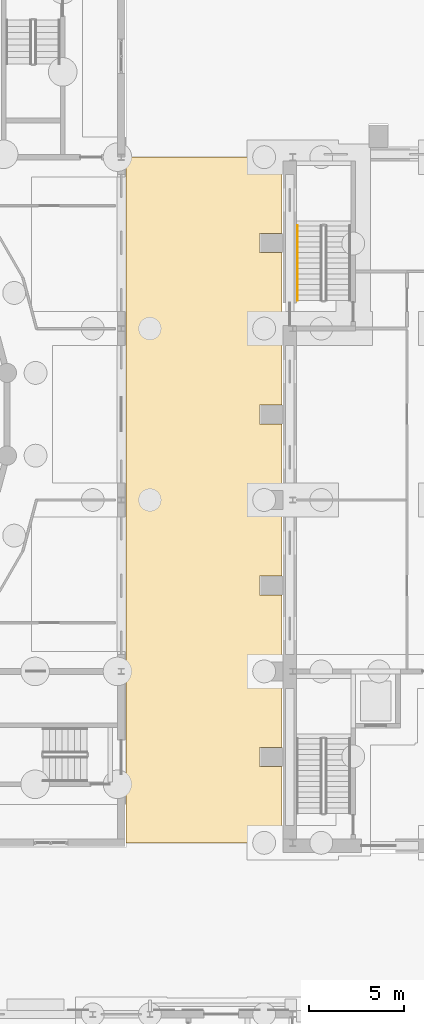
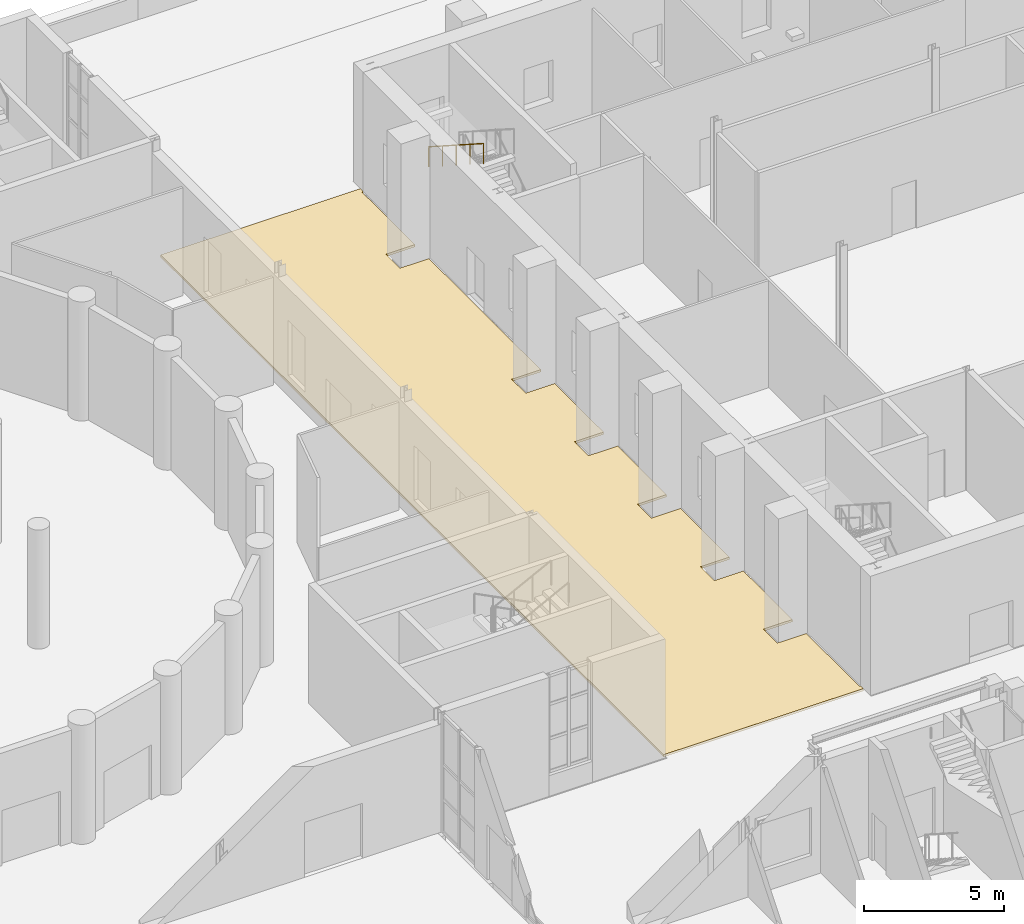
# One storey, part 147 of 168: 1 covering, 1 railing.
"""IFC4 building model written with IfcOpenShell, lengths in metres."""

from ifc_helpers import new_model, si_unit, direction, frame, origin, origin_2d, place, context, subcontext, project, spatial, polyline, circle, outline, extrude, material, layer, layer_set, type_object, element, save


model = new_model("IFC4")

# Units and contexts
model_context = context("Model", 3, precision=1e-05, world=origin(), true_north=direction((0.0, 1.0)))
body_context = subcontext(model_context, "Body", "Model", "MODEL_VIEW")
ifc_project = project(units=[si_unit("LENGTHUNIT", "METRE"), si_unit("AREAUNIT", "SQUARE_METRE"), si_unit("VOLUMEUNIT", "CUBIC_METRE"), si_unit("PLANEANGLEUNIT", "RADIAN"), si_unit("MASSUNIT", "GRAM", prefix="KILO")], contexts=[model_context])

# Site, building, storey
site_placement = place(None, origin())
site = spatial("IfcSite", under=ifc_project, at=site_placement, CompositionType="ELEMENT")
building_placement = place(site_placement, origin())
building = spatial("IfcBuilding", under=site, at=building_placement, Name="Golden Quay Civic Hall", CompositionType="ELEMENT")
storey_placement = place(building_placement, origin())
storey = spatial("IfcBuildingStorey", under=building, at=storey_placement, Name="L00", CompositionType="ELEMENT", Elevation=0.0)

# Covering
ifc_material_1 = material(Name="Concrete block paving", Category="concrete")
ifc_layer = layer(ifc_material_1, 0.10009765625)
ifc_layer_set = layer_set([ifc_layer], Name="Concrete block paving 100")
covering_type = type_object("IfcCoveringType", Name="Concrete block paving 100", PredefinedType="FLOORING", material=ifc_layer_set)
covering_placement = place(storey_placement, frame((0.0, 0.0, -0.10009765625)))
element("IfcCovering", 1, at=covering_placement, inside=storey, type_object=covering_type, Name="East Lane paving", PredefinedType="FLOORING", context=body_context, shape_type="SweptSolid", body=[
    extrude(outline(polyline([(116.5, 99.0), (116.5, 98.800048828125), (116.449951171875, 98.800048828125), (116.449951171875, 95.0), (115.25, 95.0), (115.25, 94.0), (116.449951171875, 94.0), (116.449951171875, 86.0), (115.25, 86.0), (115.25, 85.0), (116.449951171875, 85.0), (116.449951171875, 81.5), (115.25, 81.5), (115.25, 80.5), (116.449951171875, 80.5), (116.449951171875, 77.0), (115.25, 77.0), (115.25, 76.0), (116.449951171875, 76.0), (116.449951171875, 72.5), (115.25, 72.5), (115.25, 71.5), (116.449951171875, 71.5), (116.449951171875, 68.0), (115.25, 68.0), (115.25, 67.0), (116.449951171875, 67.0), (116.449951171875, 63.199951171875), (116.5, 63.199951171875), (116.5, 63.0), (108.25, 63.0), (108.25, 63.199951171875), (108.25, 72.0), (108.25, 99.0), (116.5, 99.0)])), origin(), (0.0, 0.0, 1.0), 0.10009765625),
])

# Railing
ifc_material_2 = material(Name="Steel S355", Category="steel")
railing_type = type_object("IfcRailingType", Name="Steel handrail 900", PredefinedType="HANDRAIL", material=ifc_material_2)
railing_placement = place(storey_placement, frame((117.25, 95.39501953125, 2.8798828125)))
element("IfcRailing", 2, at=railing_placement, inside=storey, type_object=railing_type, Name="L00 LB-STN stair handrail 2", PredefinedType="HANDRAIL", context=body_context, shape_type="SweptSolid", body=[
    extrude(circle(Radius=0.02392578125, at=origin_2d()), frame((0.0, 0.0, 0.8759765625), z_axis=(0.0, -0.841171666519, 0.540768182723), x_axis=(1.0, 0.0, 0.0)), (0.0, 0.0, 1.0), 4.66015625),
    extrude(circle(Radius=0.02099609375, at=origin_2d()), origin(), (0.0, 0.0, 1.0), 0.851806640625),
    extrude(circle(Radius=0.02099609375, at=origin_2d()), frame((0.0, -0.97998046875, 0.6298828125)), (0.0, 0.0, 1.0), 0.851806640625),
    extrude(circle(Radius=0.02099609375, at=origin_2d()), frame((0.0, -1.9599609375, 1.260009765625)), (0.0, 0.0, 1.0), 0.851806640625),
    extrude(circle(Radius=0.02099609375, at=origin_2d()), frame((0.0, -2.93994140625, 1.89013671875)), (0.0, 0.0, 1.0), 0.851806640625),
    extrude(circle(Radius=0.02099609375, at=origin_2d()), frame((0.0, -3.919921875, 2.52001953125)), (0.0, 0.0, 1.0), 0.851806640625),
])

save(model, "model.ifc")
